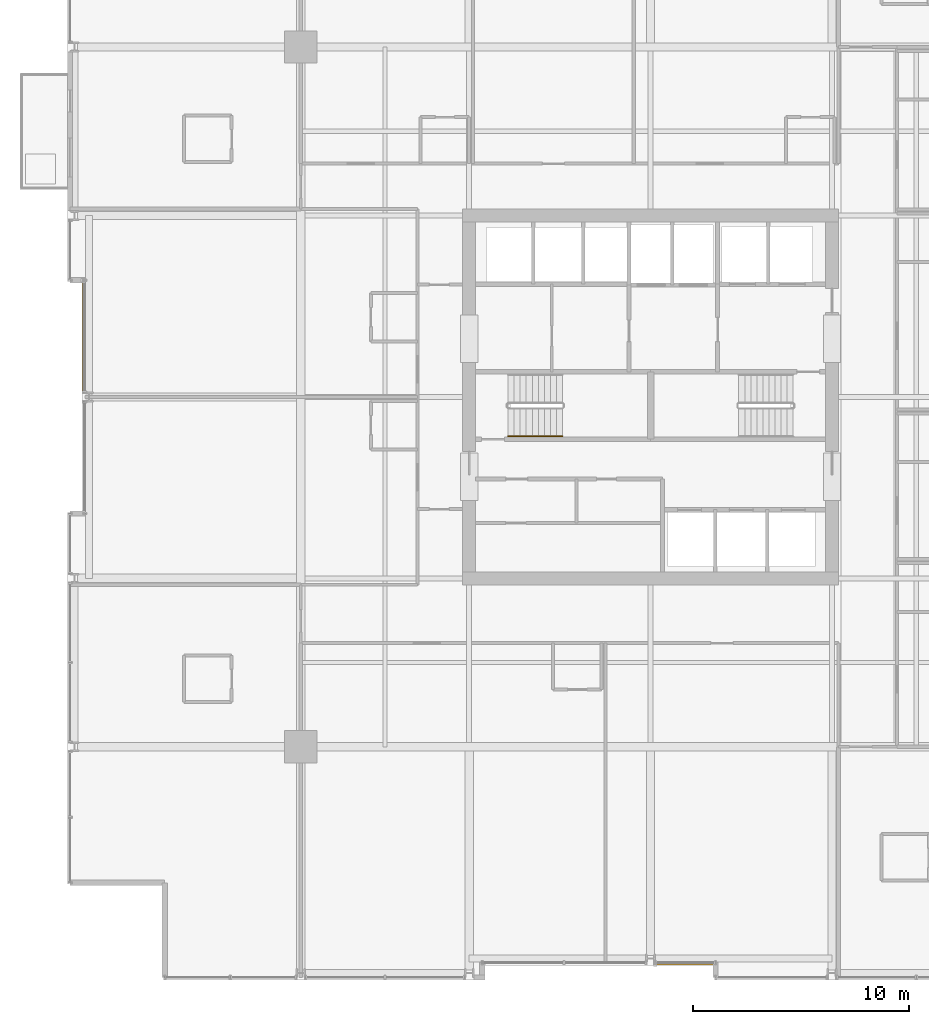
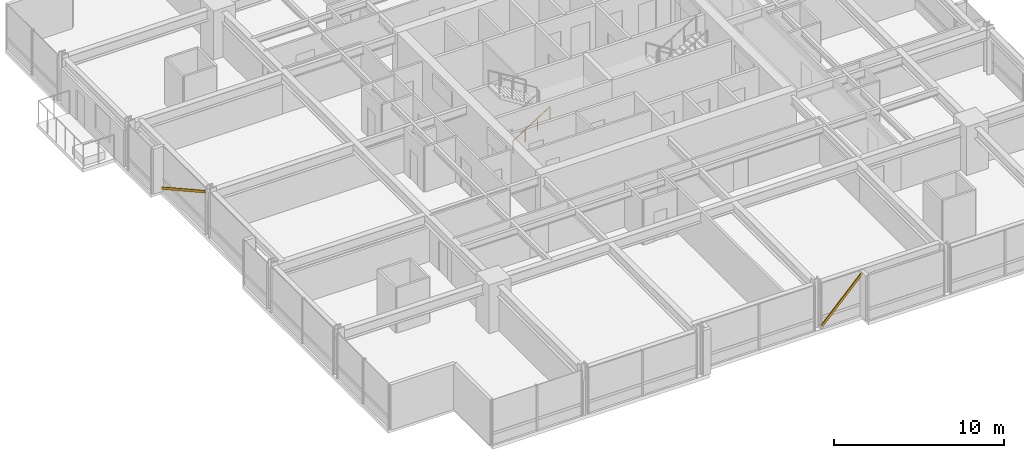
# One storey, part 32 of 34: 2 shading devices, 1 railing.
"""IFC4 building model written with IfcOpenShell, lengths in metres."""

from ifc_helpers import new_model, si_unit, direction, frame, origin, origin_2d, place, context, subcontext, project, spatial, hollow_rectangle, circle, extrude, material, material_profile, profile_set, type_object, element, save


model = new_model("IFC4")

# Units and contexts
model_context = context("Model", 3, precision=1e-05, world=origin(), true_north=direction((0.0, 1.0)))
body_context = subcontext(model_context, "Body", "Model", "MODEL_VIEW")
ifc_project = project(units=[si_unit("LENGTHUNIT", "METRE"), si_unit("AREAUNIT", "SQUARE_METRE"), si_unit("VOLUMEUNIT", "CUBIC_METRE"), si_unit("PLANEANGLEUNIT", "RADIAN"), si_unit("MASSUNIT", "GRAM", prefix="KILO")], contexts=[model_context])

# Site, building, storey
site_placement = place(None, origin())
site = spatial("IfcSite", under=ifc_project, at=site_placement, CompositionType="ELEMENT")
building_placement = place(site_placement, origin())
building = spatial("IfcBuilding", under=site, at=building_placement, Name="Drelvath Grand Hotel", CompositionType="ELEMENT")
storey_placement = place(building_placement, frame((0.0, 0.0, 109.300048828125)))
storey = spatial("IfcBuildingStorey", under=building, at=storey_placement, Name="L27", CompositionType="ELEMENT", Elevation=109.300048828125)

# Railing
ifc_material_1 = material(Name="Painted Steel S275", Category="steel")
railing_type = type_object("IfcRailingType", Name="Core Stair Wall Handrail 900", PredefinedType="HANDRAIL", material=ifc_material_1)
railing_placement = place(storey_placement, frame((-6.60009765625, 25.169921875, 0.175048828125)))
element("IfcRailing", 1, at=railing_placement, inside=storey, type_object=railing_type, Name="L27 ST-1 stair handrail 1", PredefinedType="HANDRAIL", context=body_context, shape_type="SweptSolid", body=[
    extrude(circle(Radius=0.02392578125, at=origin_2d()), frame((0.0, 0.0, 0.8759765625), z_axis=(0.848007534815, 0.0, 0.529984170421), x_axis=(0.0, 1.0, 0.0)), (0.0, 0.0, 1.0), 2.9716796875),
    extrude(circle(Radius=0.02099609375, at=origin_2d()), origin(), (0.0, 0.0, 1.0), 0.851806640625),
    extrude(circle(Radius=0.02099609375, at=origin_2d()), frame((0.840087890625, 0.0, 0.52490234375)), (0.0, 0.0, 1.0), 0.851806640625),
    extrude(circle(Radius=0.02099609375, at=origin_2d()), frame((1.679931640625, 0.0, 1.050048828125)), (0.0, 0.0, 1.0), 0.851806640625),
    extrude(circle(Radius=0.02099609375, at=origin_2d()), frame((2.52001953125, 0.0, 1.574951171875)), (0.0, 0.0, 1.0), 0.851806640625),
])

# Shading devices
ifc_material_2 = material(Name="Champagne Bronze Anodised Aluminium", Category="aluminium")
ifc_material_profile = material_profile(ifc_material_2, hollow_rectangle(XDim=0.06494140625, YDim=0.159912109375, WallThickness=0.00390625, at=origin_2d()), Name="HSS160X65X4")
ifc_profile_set = profile_set([ifc_material_profile], Name="Champagne Bronze Anodised Aluminium")
shading_device_type = type_object("IfcShadingDeviceType", Name="Diagonal Solar Fin Champagne Anodised HSS160X65X4", PredefinedType="USERDEFINED", material=ifc_profile_set)
shading_device_1_placement = place(storey_placement, frame((-26.280029296875, 32.39990234375, 0.179931640625), z_axis=(0.0, -0.8740056863, 0.4859156926), x_axis=(1.0, 0.0, 0.0)))
element("IfcShadingDevice", 2, at=shading_device_1_placement, inside=storey, type_object=shading_device_type, Name="L27 Diagonal Anodised Fin CW03-L27-WM2", ObjectType="FIN", PredefinedType="USERDEFINED", context=body_context, shape_type="SweptSolid", body=[
    extrude(hollow_rectangle(XDim=0.06494140625, YDim=0.159912109375, WallThickness=0.00390625, at=origin_2d()), origin(), (0.0, 0.0, 1.0), 5.92724609375),
])
shading_device_2_placement = place(storey_placement, frame((0.219482421875, 0.719970703125, 0.179931640625), z_axis=(0.694556420652, 0.0, 0.719438238163), x_axis=(0.0, 1.0, 0.0)))
element("IfcShadingDevice", 3, at=shading_device_2_placement, inside=storey, type_object=shading_device_type, Name="L27 Diagonal Anodised Fin CW03-L27-SM2", ObjectType="FIN", PredefinedType="USERDEFINED", context=body_context, shape_type="SweptSolid", body=[
    extrude(hollow_rectangle(XDim=0.06494140625, YDim=0.159912109375, WallThickness=0.00390625, at=origin_2d()), origin(), (0.0, 0.0, 1.0), 4.00341796875),
])

save(model, "model.ifc")
